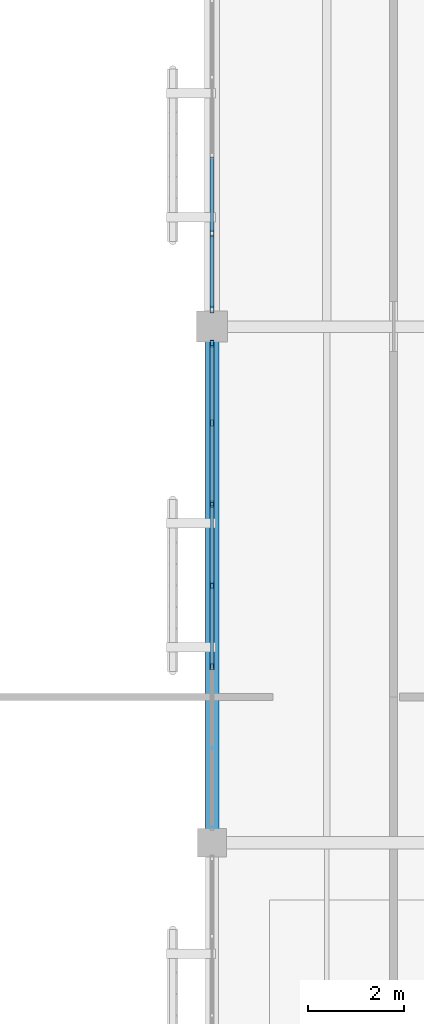
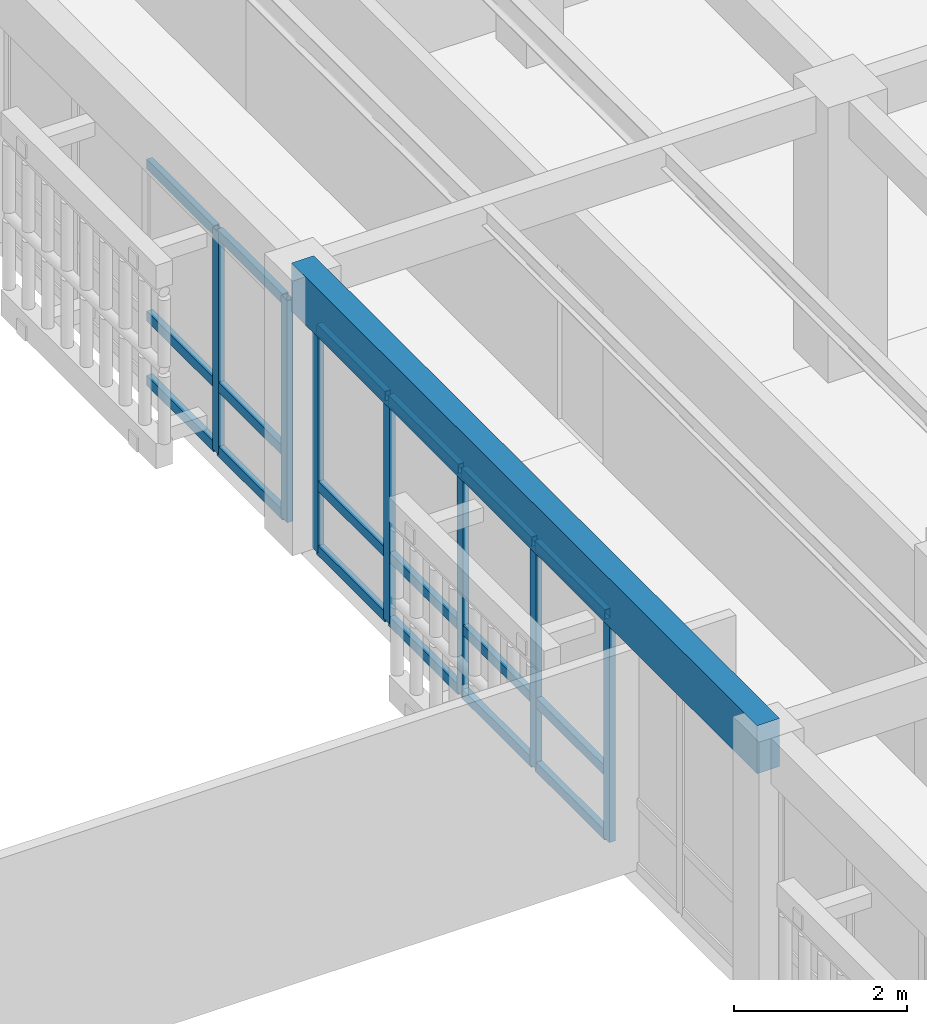
# One storey, part 36 of 170: 25 members, 1 beam, 2 elements without a shape of their own.
"""IFC4 building model written with IfcOpenShell, lengths in metres."""

from ifc_helpers import new_model, si_unit, direction, frame, origin, origin_2d, place, context, subcontext, project, spatial, rectangle, hollow_rectangle, extrude, material, layer, layer_set, material_profile, profile_set, type_object, element, aggregate, save


model = new_model("IFC4")

# Units and contexts
model_context = context("Model", 3, precision=1e-05, world=origin(), true_north=direction((0.0, 1.0)))
body_context = subcontext(model_context, "Body", "Model", "MODEL_VIEW")
ifc_project = project(units=[si_unit("LENGTHUNIT", "METRE"), si_unit("AREAUNIT", "SQUARE_METRE"), si_unit("VOLUMEUNIT", "CUBIC_METRE"), si_unit("PLANEANGLEUNIT", "RADIAN"), si_unit("MASSUNIT", "GRAM", prefix="KILO")], contexts=[model_context])

# Site, building, storey
site_placement = place(None, origin())
site = spatial("IfcSite", under=ifc_project, at=site_placement, CompositionType="ELEMENT")
building_placement = place(site_placement, origin())
building = spatial("IfcBuilding", under=site, at=building_placement, Name="Mazaris Harbour Polytechnic", CompositionType="ELEMENT")
storey_placement = place(building_placement, frame((0.0, 0.0, 5.39990234375)))
storey = spatial("IfcBuildingStorey", under=building, at=storey_placement, Name="L01", CompositionType="ELEMENT", Elevation=5.39990234375)

# Curtain wall, members
ifc_material_1 = material(Name="Anodised Bronze Aluminium and Low-E Glass", Category="aluminium")
ifc_layer = layer(ifc_material_1, 0.159912109375, Name="Anodised Bronze Aluminium and Low-E Glass")
ifc_layer_set = layer_set([ifc_layer], Name="Anodised Bronze Aluminium and Low-E Glass")
curtain_wall_type = type_object("IfcCurtainWallType", Name="Cloister Court Curtain Wall", PredefinedType="NOTDEFINED", material=ifc_layer_set)
curtain_wall_1_placement = place(storey_placement, origin())
curtain_wall_1 = element("IfcCurtainWall", 1, at=curtain_wall_1_placement, inside=storey, type_object=curtain_wall_type, Name="V4 L01 Curtain Wall 125", PredefinedType="NOTDEFINED")
ifc_material_2 = material(Name="Anodised Bronze Steel S355", Category="steel")
ifc_material_profile_1 = material_profile(ifc_material_2, hollow_rectangle(XDim=0.080078125, YDim=0.139892578125, WallThickness=0.00634765625, at=origin_2d()), Name="RHS 80x140x6.3")
ifc_profile_set_1 = profile_set([ifc_material_profile_1], Name="Anodised Bronze Steel S355")
member_type_1 = type_object("IfcMemberType", Name="Curtain Mullion RHS80x140", PredefinedType="MULLION", material=ifc_profile_set_1)
member_1_placement = place(storey_placement, frame((28.800048828125, 53.64306640625, 0.0), z_axis=(0.0, 0.0, 1.0), x_axis=(1.0, 0.0, 0.0)))
member_1 = element("IfcMember", 2, at=member_1_placement, type_object=member_type_1, Name="CW-02 mullion 1", PredefinedType="MULLION", context=body_context, shape_type="SweptSolid", body=[
    extrude(hollow_rectangle(XDim=0.080078125, YDim=0.139892578125, WallThickness=0.00634765625, at=origin_2d()), origin(), (0.0, 0.0, 1.0), 3.2001953125),
])
member_2_placement = place(storey_placement, frame((28.800048828125, 51.984619140625, 0.0), z_axis=(0.0, 0.0, 1.0), x_axis=(1.0, 0.0, 0.0)))
member_2 = element("IfcMember", 3, at=member_2_placement, type_object=member_type_1, Name="CW-02 mullion 2", PredefinedType="MULLION", context=body_context, shape_type="SweptSolid", body=[
    extrude(hollow_rectangle(XDim=0.080078125, YDim=0.139892578125, WallThickness=0.00634765625, at=origin_2d()), origin(), (0.0, 0.0, 1.0), 3.2001953125),
])
member_3_placement = place(storey_placement, frame((28.800048828125, 50.285888671875, 0.0), z_axis=(0.0, 0.0, 1.0), x_axis=(1.0, 0.0, 0.0)))
member_3 = element("IfcMember", 4, at=member_3_placement, type_object=member_type_1, Name="CW-02 mullion 3", PredefinedType="MULLION", context=body_context, shape_type="SweptSolid", body=[
    extrude(hollow_rectangle(XDim=0.080078125, YDim=0.139892578125, WallThickness=0.00634765625, at=origin_2d()), origin(), (0.0, 0.0, 1.0), 3.2001953125),
])
member_4_placement = place(storey_placement, frame((28.800048828125, 48.58740234375, 0.0), z_axis=(0.0, 0.0, 1.0), x_axis=(1.0, 0.0, 0.0)))
member_4 = element("IfcMember", 5, at=member_4_placement, type_object=member_type_1, Name="CW-02 mullion 4", PredefinedType="MULLION", context=body_context, shape_type="SweptSolid", body=[
    extrude(hollow_rectangle(XDim=0.080078125, YDim=0.139892578125, WallThickness=0.00634765625, at=origin_2d()), origin(), (0.0, 0.0, 1.0), 3.2001953125),
])
member_5_placement = place(storey_placement, frame((28.800048828125, 46.888916015625, 0.0), z_axis=(0.0, 0.0, 1.0), x_axis=(1.0, 0.0, 0.0)))
member_5 = element("IfcMember", 6, at=member_5_placement, type_object=member_type_1, Name="CW-02 mullion 5", PredefinedType="MULLION", context=body_context, shape_type="SweptSolid", body=[
    extrude(hollow_rectangle(XDim=0.080078125, YDim=0.139892578125, WallThickness=0.00634765625, at=origin_2d()), origin(), (0.0, 0.0, 1.0), 3.2001953125),
])

curtain_wall_2_placement = place(storey_placement, origin())
curtain_wall_2 = element("IfcCurtainWall", 7, at=curtain_wall_2_placement, inside=storey, type_object=curtain_wall_type, Name="V4 L01 Curtain Wall 126", PredefinedType="NOTDEFINED")
member_6_placement = place(storey_placement, frame((28.800048828125, 55.9521484375, 0.0), z_axis=(0.0, 0.0, 1.0), x_axis=(1.0, 0.0, 0.0)))
member_6 = element("IfcMember", 8, at=member_6_placement, type_object=member_type_1, Name="CW-02 mullion 4", PredefinedType="MULLION", context=body_context, shape_type="SweptSolid", body=[
    extrude(hollow_rectangle(XDim=0.080078125, YDim=0.139892578125, WallThickness=0.00634765625, at=origin_2d()), origin(), (0.0, 0.0, 1.0), 3.14013671875),
])
member_7_placement = place(storey_placement, frame((28.800048828125, 54.35693359375, 0.0), z_axis=(0.0, 0.0, 1.0), x_axis=(1.0, 0.0, 0.0)))
member_7 = element("IfcMember", 9, at=member_7_placement, type_object=member_type_1, Name="CW-02 mullion 5", PredefinedType="MULLION", context=body_context, shape_type="SweptSolid", body=[
    extrude(hollow_rectangle(XDim=0.080078125, YDim=0.139892578125, WallThickness=0.00634765625, at=origin_2d()), origin(), (0.0, 0.0, 1.0), 3.14013671875),
])

# Member
ifc_material_3 = material(Name="Anodised Bronze Steel S355", Category="steel")
ifc_material_profile_2 = material_profile(ifc_material_3, hollow_rectangle(XDim=0.080078125, YDim=0.139892578125, WallThickness=0.00634765625, at=origin_2d()), Name="RHS 80x140x6.3")
ifc_profile_set_2 = profile_set([ifc_material_profile_2], Name="Anodised Bronze Steel S355")
member_type_2 = type_object("IfcMemberType", Name="Curtain Transom RHS80x140", PredefinedType="USERDEFINED", material=ifc_profile_set_2)
member_8_placement = place(storey_placement, frame((28.800048828125, 53.60302734375, 0.0400390625), z_axis=(0.0, -1.0, 0.0), x_axis=(1.0, 0.0, 0.0)))
member_8 = element("IfcMember", 10, at=member_8_placement, type_object=member_type_2, Name="CW-02 transom 1.1", ObjectType="TRANSOM", PredefinedType="USERDEFINED", context=body_context, shape_type="SweptSolid", body=[
    extrude(hollow_rectangle(XDim=0.080078125, YDim=0.139892578125, WallThickness=0.00634765625, at=origin_2d()), origin(), (0.0, 0.0, 1.0), 1.57861328125),
])

member_9_placement = place(storey_placement, frame((28.800048828125, 53.60302734375, 0.9501953125), z_axis=(0.0, -1.0, 0.0), x_axis=(1.0, 0.0, 0.0)))
member_9 = element("IfcMember", 11, at=member_9_placement, type_object=member_type_2, Name="CW-02 transom 1.2", ObjectType="TRANSOM", PredefinedType="USERDEFINED", context=body_context, shape_type="SweptSolid", body=[
    extrude(hollow_rectangle(XDim=0.080078125, YDim=0.139892578125, WallThickness=0.00634765625, at=origin_2d()), origin(), (0.0, 0.0, 1.0), 1.57861328125),
])

member_10_placement = place(storey_placement, frame((28.800048828125, 53.60302734375, 3.16015625), z_axis=(0.0, -1.0, 0.0), x_axis=(1.0, 0.0, 0.0)))
member_10 = element("IfcMember", 12, at=member_10_placement, type_object=member_type_2, Name="CW-02 transom 1.3", ObjectType="TRANSOM", PredefinedType="USERDEFINED", context=body_context, shape_type="SweptSolid", body=[
    extrude(hollow_rectangle(XDim=0.080078125, YDim=0.139892578125, WallThickness=0.00634765625, at=origin_2d()), origin(), (0.0, 0.0, 1.0), 1.57861328125),
])

member_11_placement = place(storey_placement, frame((28.800048828125, 51.944580078125, 0.0400390625), z_axis=(0.0, -1.0, 0.0), x_axis=(1.0, 0.0, 0.0)))
member_11 = element("IfcMember", 13, at=member_11_placement, type_object=member_type_2, Name="CW-02 transom 2.1", ObjectType="TRANSOM", PredefinedType="USERDEFINED", context=body_context, shape_type="SweptSolid", body=[
    extrude(hollow_rectangle(XDim=0.080078125, YDim=0.139892578125, WallThickness=0.00634765625, at=origin_2d()), origin(), (0.0, 0.0, 1.0), 1.61865234375),
])

member_12_placement = place(storey_placement, frame((28.800048828125, 51.944580078125, 0.9501953125), z_axis=(0.0, -1.0, 0.0), x_axis=(1.0, 0.0, 0.0)))
member_12 = element("IfcMember", 14, at=member_12_placement, type_object=member_type_2, Name="CW-02 transom 2.2", ObjectType="TRANSOM", PredefinedType="USERDEFINED", context=body_context, shape_type="SweptSolid", body=[
    extrude(hollow_rectangle(XDim=0.080078125, YDim=0.139892578125, WallThickness=0.00634765625, at=origin_2d()), origin(), (0.0, 0.0, 1.0), 1.61865234375),
])

member_13_placement = place(storey_placement, frame((28.800048828125, 51.944580078125, 3.16015625), z_axis=(0.0, -1.0, 0.0), x_axis=(1.0, 0.0, 0.0)))
member_13 = element("IfcMember", 15, at=member_13_placement, type_object=member_type_2, Name="CW-02 transom 2.3", ObjectType="TRANSOM", PredefinedType="USERDEFINED", context=body_context, shape_type="SweptSolid", body=[
    extrude(hollow_rectangle(XDim=0.080078125, YDim=0.139892578125, WallThickness=0.00634765625, at=origin_2d()), origin(), (0.0, 0.0, 1.0), 1.61865234375),
])

member_14_placement = place(storey_placement, frame((28.800048828125, 50.24609375, 0.0400390625), z_axis=(0.0, -1.0, 0.0), x_axis=(1.0, 0.0, 0.0)))
member_14 = element("IfcMember", 16, at=member_14_placement, type_object=member_type_2, Name="CW-02 transom 3.1", ObjectType="TRANSOM", PredefinedType="USERDEFINED", context=body_context, shape_type="SweptSolid", body=[
    extrude(hollow_rectangle(XDim=0.080078125, YDim=0.139892578125, WallThickness=0.00634765625, at=origin_2d()), origin(), (0.0, 0.0, 1.0), 1.61865234375),
])

member_15_placement = place(storey_placement, frame((28.800048828125, 50.24609375, 0.9501953125), z_axis=(0.0, -1.0, 0.0), x_axis=(1.0, 0.0, 0.0)))
member_15 = element("IfcMember", 17, at=member_15_placement, type_object=member_type_2, Name="CW-02 transom 3.2", ObjectType="TRANSOM", PredefinedType="USERDEFINED", context=body_context, shape_type="SweptSolid", body=[
    extrude(hollow_rectangle(XDim=0.080078125, YDim=0.139892578125, WallThickness=0.00634765625, at=origin_2d()), origin(), (0.0, 0.0, 1.0), 1.61865234375),
])

member_16_placement = place(storey_placement, frame((28.800048828125, 50.24609375, 3.16015625), z_axis=(0.0, -1.0, 0.0), x_axis=(1.0, 0.0, 0.0)))
member_16 = element("IfcMember", 18, at=member_16_placement, type_object=member_type_2, Name="CW-02 transom 3.3", ObjectType="TRANSOM", PredefinedType="USERDEFINED", context=body_context, shape_type="SweptSolid", body=[
    extrude(hollow_rectangle(XDim=0.080078125, YDim=0.139892578125, WallThickness=0.00634765625, at=origin_2d()), origin(), (0.0, 0.0, 1.0), 1.61865234375),
])

member_17_placement = place(storey_placement, frame((28.800048828125, 48.547607421875, 0.0400390625), z_axis=(0.0, -1.0, 0.0), x_axis=(1.0, 0.0, 0.0)))
member_17 = element("IfcMember", 19, at=member_17_placement, type_object=member_type_2, Name="CW-02 transom 4.1", ObjectType="TRANSOM", PredefinedType="USERDEFINED", context=body_context, shape_type="SweptSolid", body=[
    extrude(hollow_rectangle(XDim=0.080078125, YDim=0.139892578125, WallThickness=0.00634765625, at=origin_2d()), origin(), (0.0, 0.0, 1.0), 1.61865234375),
])

member_18_placement = place(storey_placement, frame((28.800048828125, 48.547607421875, 0.9501953125), z_axis=(0.0, -1.0, 0.0), x_axis=(1.0, 0.0, 0.0)))
member_18 = element("IfcMember", 20, at=member_18_placement, type_object=member_type_2, Name="CW-02 transom 4.2", ObjectType="TRANSOM", PredefinedType="USERDEFINED", context=body_context, shape_type="SweptSolid", body=[
    extrude(hollow_rectangle(XDim=0.080078125, YDim=0.139892578125, WallThickness=0.00634765625, at=origin_2d()), origin(), (0.0, 0.0, 1.0), 1.61865234375),
])

member_19_placement = place(storey_placement, frame((28.800048828125, 48.547607421875, 3.16015625), z_axis=(0.0, -1.0, 0.0), x_axis=(1.0, 0.0, 0.0)))
member_19 = element("IfcMember", 21, at=member_19_placement, type_object=member_type_2, Name="CW-02 transom 4.3", ObjectType="TRANSOM", PredefinedType="USERDEFINED", context=body_context, shape_type="SweptSolid", body=[
    extrude(hollow_rectangle(XDim=0.080078125, YDim=0.139892578125, WallThickness=0.00634765625, at=origin_2d()), origin(), (0.0, 0.0, 1.0), 1.61865234375),
])

aggregate(curtain_wall_1, [member_1, member_2, member_3, member_4, member_5, member_8, member_9, member_10, member_11, member_12, member_13, member_14, member_15, member_16, member_17, member_18, member_19])

member_20_placement = place(storey_placement, frame((28.800048828125, 57.547607421875, 0.0400390625), z_axis=(0.0, -1.0, 0.0), x_axis=(1.0, 0.0, 0.0)))
member_20 = element("IfcMember", 22, at=member_20_placement, type_object=member_type_2, Name="CW-02 transom 3.1", ObjectType="TRANSOM", PredefinedType="USERDEFINED", context=body_context, shape_type="SweptSolid", body=[
    extrude(hollow_rectangle(XDim=0.080078125, YDim=0.139892578125, WallThickness=0.00634765625, at=origin_2d()), origin(), (0.0, 0.0, 1.0), 1.555419921875),
])

member_21_placement = place(storey_placement, frame((28.800048828125, 57.547607421875, 0.9501953125), z_axis=(0.0, -1.0, 0.0), x_axis=(1.0, 0.0, 0.0)))
member_21 = element("IfcMember", 23, at=member_21_placement, type_object=member_type_2, Name="CW-02 transom 3.2", ObjectType="TRANSOM", PredefinedType="USERDEFINED", context=body_context, shape_type="SweptSolid", body=[
    extrude(hollow_rectangle(XDim=0.080078125, YDim=0.139892578125, WallThickness=0.00634765625, at=origin_2d()), origin(), (0.0, 0.0, 1.0), 1.555419921875),
])

member_22_placement = place(storey_placement, frame((28.800048828125, 57.547607421875, 3.10009765625), z_axis=(0.0, -1.0, 0.0), x_axis=(1.0, 0.0, 0.0)))
member_22 = element("IfcMember", 24, at=member_22_placement, type_object=member_type_2, Name="CW-02 transom 3.3", ObjectType="TRANSOM", PredefinedType="USERDEFINED", context=body_context, shape_type="SweptSolid", body=[
    extrude(hollow_rectangle(XDim=0.080078125, YDim=0.139892578125, WallThickness=0.00634765625, at=origin_2d()), origin(), (0.0, 0.0, 1.0), 1.555419921875),
])

member_23_placement = place(storey_placement, frame((28.800048828125, 55.912353515625, 0.0400390625), z_axis=(0.0, -1.0, 0.0), x_axis=(1.0, 0.0, 0.0)))
member_23 = element("IfcMember", 25, at=member_23_placement, type_object=member_type_2, Name="CW-02 transom 4.1", ObjectType="TRANSOM", PredefinedType="USERDEFINED", context=body_context, shape_type="SweptSolid", body=[
    extrude(hollow_rectangle(XDim=0.080078125, YDim=0.139892578125, WallThickness=0.00634765625, at=origin_2d()), origin(), (0.0, 0.0, 1.0), 1.515380859375),
])

member_24_placement = place(storey_placement, frame((28.800048828125, 55.912353515625, 0.9501953125), z_axis=(0.0, -1.0, 0.0), x_axis=(1.0, 0.0, 0.0)))
member_24 = element("IfcMember", 26, at=member_24_placement, type_object=member_type_2, Name="CW-02 transom 4.2", ObjectType="TRANSOM", PredefinedType="USERDEFINED", context=body_context, shape_type="SweptSolid", body=[
    extrude(hollow_rectangle(XDim=0.080078125, YDim=0.139892578125, WallThickness=0.00634765625, at=origin_2d()), origin(), (0.0, 0.0, 1.0), 1.515380859375),
])

member_25_placement = place(storey_placement, frame((28.800048828125, 55.912353515625, 3.10009765625), z_axis=(0.0, -1.0, 0.0), x_axis=(1.0, 0.0, 0.0)))
member_25 = element("IfcMember", 27, at=member_25_placement, type_object=member_type_2, Name="CW-02 transom 4.3", ObjectType="TRANSOM", PredefinedType="USERDEFINED", context=body_context, shape_type="SweptSolid", body=[
    extrude(hollow_rectangle(XDim=0.080078125, YDim=0.139892578125, WallThickness=0.00634765625, at=origin_2d()), origin(), (0.0, 0.0, 1.0), 1.515380859375),
])

aggregate(curtain_wall_2, [member_6, member_7, member_20, member_21, member_22, member_23, member_24, member_25])

# Beam
ifc_material_4 = material(Name="Glulam GL32h", Category="wood")
ifc_material_profile_3 = material_profile(ifc_material_4, rectangle(XDim=0.300048828125, YDim=0.679931640625, at=origin_2d()), Name="RECT300x680")
ifc_profile_set_3 = profile_set([ifc_material_profile_3], Name="Glulam GL32h")
beam_type = type_object("IfcBeamType", Name="Glulam Girder 300x680", PredefinedType="BEAM", material=ifc_profile_set_3)
beam_placement = place(storey_placement, frame((28.800048828125, 43.199951171875, 3.550048828125), z_axis=(0.0, 1.0, 0.0), x_axis=(-1.0, 0.0, 0.0)))
element("IfcBeam", 28, at=beam_placement, inside=storey, type_object=beam_type, Name="V4 L01 Tie Girder 1743", PredefinedType="BEAM", context=body_context, shape_type="SweptSolid", body=[
    extrude(rectangle(XDim=0.300048828125, YDim=0.679931640625, at=origin_2d()), origin(), (0.0, 0.0, 1.0), 10.800048828125),
])

save(model, "model.ifc")
